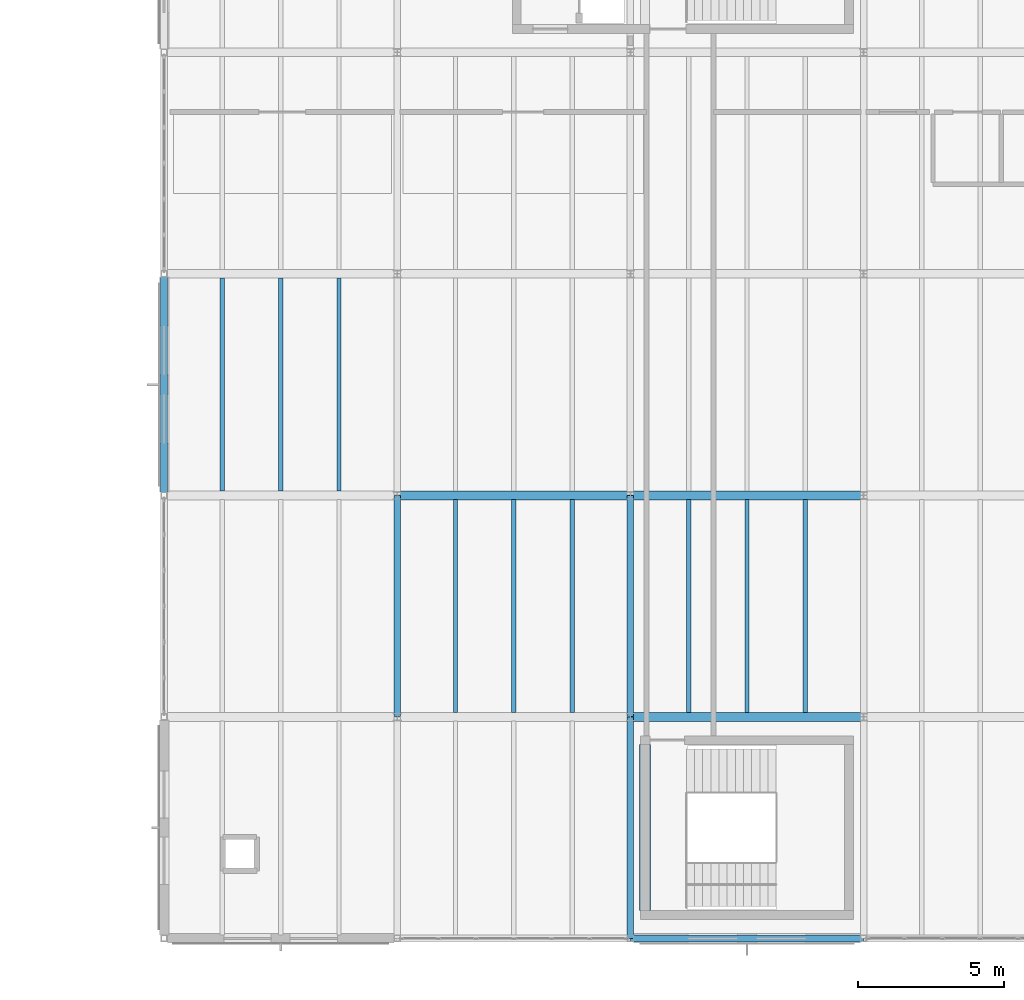
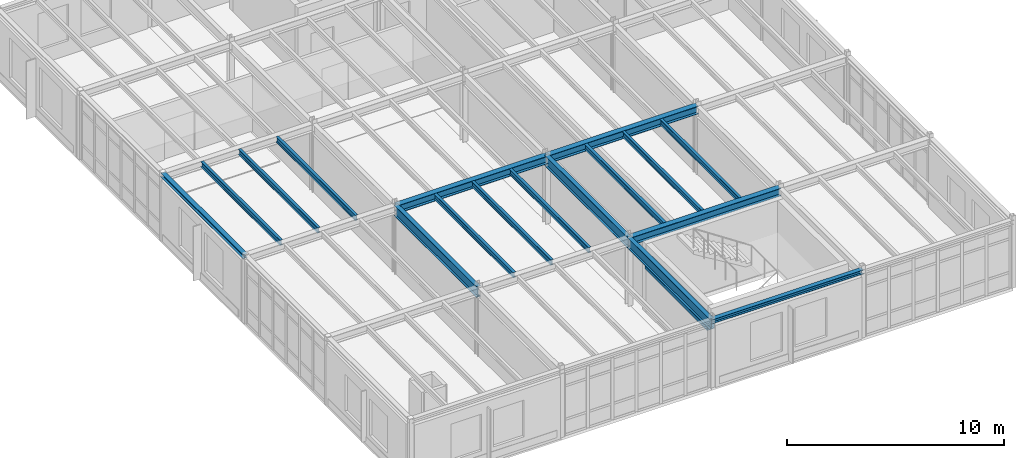
# One storey, part 57 of 114: 18 beams.
"""IFC4 building model written with IfcOpenShell, lengths in metres."""

from ifc_helpers import new_model, si_unit, direction, frame, origin, origin_2d, place, context, subcontext, project, spatial, rectangle, i_section, extrude, material, material_profile, profile_set, type_object, element, save


model = new_model("IFC4")

# Units and contexts
model_context = context("Model", 3, precision=1e-05, world=origin(), true_north=direction((0.0, 1.0)))
body_context = subcontext(model_context, "Body", "Model", "MODEL_VIEW")
ifc_project = project(units=[si_unit("LENGTHUNIT", "METRE"), si_unit("AREAUNIT", "SQUARE_METRE"), si_unit("VOLUMEUNIT", "CUBIC_METRE"), si_unit("PLANEANGLEUNIT", "RADIAN"), si_unit("MASSUNIT", "GRAM", prefix="KILO")], contexts=[model_context])

# Site, building, storey
site_placement = place(None, origin())
site = spatial("IfcSite", under=ifc_project, at=site_placement, CompositionType="ELEMENT")
building_placement = place(site_placement, origin())
building = spatial("IfcBuilding", under=site, at=building_placement, Name="Montecoro Central Library", CompositionType="ELEMENT")
storey_placement = place(building_placement, frame((0.0, 0.0, 13.260009765625)))
storey = spatial("IfcBuildingStorey", under=building, at=storey_placement, Name="L03", CompositionType="ELEMENT", Elevation=13.260009765625)

# Beams
ifc_material_1 = material(Name="Steel S355J2", Category="steel")
ifc_material_profile_1 = material_profile(ifc_material_1, i_section(OverallWidth=0.300048828125, OverallDepth=0.43994140625, WebThickness=0.011474609375, FlangeThickness=0.02099609375, at=origin_2d()), Name="HEA 450")
ifc_profile_set_1 = profile_set([ifc_material_profile_1], Name="Steel S355J2")
beam_type_1 = type_object("IfcBeamType", Name="BM-G-HEA450", PredefinedType="USERDEFINED", material=ifc_profile_set_1)
for number, where, z_axis, x_axis, name in (
    (1, (157.0048828125, 12.60009765625, 3.60498046875), (1.0, 0.0, 0.0), (0.0, 1.0, 0.0), "V6-L03-BX-2021-B"),
    (2, (149.0048828125, 20.199951171875, 3.60498046875), (1.0, 0.0, 0.0), (0.0, 1.0, 0.0), "V6-L03-BX-1920-C"),
    (3, (157.0048828125, 20.199951171875, 3.60498046875), (1.0, 0.0, 0.0), (0.0, 1.0, 0.0), "V6-L03-BX-2021-C"),
):
    element("IfcBeam", number, at=place(storey_placement, frame(where, z_axis=z_axis, x_axis=x_axis)), inside=storey, type_object=beam_type_1, Name=name, ObjectType="GIRDER", PredefinedType="USERDEFINED", context=body_context, shape_type="SweptSolid", body=[
        extrude(i_section(OverallWidth=0.300048828125, OverallDepth=0.43994140625, WebThickness=0.011474609375, FlangeThickness=0.02099609375, at=origin_2d()), origin(), (0.0, 0.0, 1.0), 7.990234375),
    ])
ifc_material_profile_2 = material_profile(ifc_material_1, i_section(OverallWidth=0.219970703125, OverallDepth=0.60009765625, WebThickness=0.011962890625, FlangeThickness=0.01904296875, at=origin_2d()), Name="IPE 600")
ifc_profile_set_2 = profile_set([ifc_material_profile_2], Name="Steel S355J2")
beam_type_2 = type_object("IfcBeamType", Name="BM-G-IPE600", PredefinedType="USERDEFINED", material=ifc_profile_set_2)
for number, where, z_axis, x_axis, name in (
    (4, (149.0, 12.60498046875, 3.52490234375), (0.0, 1.0, 0.0), (-1.0, 0.0, 0.0), "V6-L03-BY-19-BC"),
    (5, (157.0, 5.0048828125, 3.52490234375), (0.0, 1.0, 0.0), (-1.0, 0.0, 0.0), "V6-L03-BY-20-AB"),
    (6, (157.0, 12.60498046875, 3.52490234375), (0.0, 1.0, 0.0), (-1.0, 0.0, 0.0), "V6-L03-BY-20-BC"),
):
    element("IfcBeam", number, at=place(storey_placement, frame(where, z_axis=z_axis, x_axis=x_axis)), inside=storey, type_object=beam_type_2, Name=name, ObjectType="GIRDER", PredefinedType="USERDEFINED", context=body_context, shape_type="SweptSolid", body=[
        extrude(i_section(OverallWidth=0.219970703125, OverallDepth=0.60009765625, WebThickness=0.011962890625, FlangeThickness=0.01904296875, at=origin_2d()), origin(), (0.0, 0.0, 1.0), 7.590087890625),
    ])
ifc_material_2 = material(Name="Steel S355", Category="steel")
ifc_material_profile_3 = material_profile(ifc_material_2, i_section(OverallWidth=0.14990234375, OverallDepth=0.300048828125, WebThickness=0.007080078125, FlangeThickness=0.0107421875, at=origin_2d()), Name="IPE 300")
ifc_profile_set_3 = profile_set([ifc_material_profile_3], Name="Steel S355")
beam_type_3 = type_object("IfcBeamType", Name="BM-J-IPE300", PredefinedType="JOIST", material=ifc_profile_set_3)
for number, where, z_axis, x_axis, name in (
    (7, (143.0, 20.346923828125, 3.675048828125), (0.0, 1.0, 0.0), (-1.0, 0.0, 0.0), "V6-L03-JS-1819-CD-1"),
    (8, (145.0, 20.346923828125, 3.675048828125), (0.0, 1.0, 0.0), (-1.0, 0.0, 0.0), "V6-L03-JS-1819-CD-2"),
    (9, (147.0, 20.346923828125, 3.675048828125), (0.0, 1.0, 0.0), (-1.0, 0.0, 0.0), "V6-L03-JS-1819-CD-3"),
):
    element("IfcBeam", number, at=place(storey_placement, frame(where, z_axis=z_axis, x_axis=x_axis)), inside=storey, type_object=beam_type_3, Name=name, PredefinedType="JOIST", context=body_context, shape_type="SweptSolid", body=[
        extrude(i_section(OverallWidth=0.14990234375, OverallDepth=0.300048828125, WebThickness=0.007080078125, FlangeThickness=0.0107421875, at=origin_2d()), origin(), (0.0, 0.0, 1.0), 7.30615234375),
    ])
for number, where, z_axis, x_axis, name in (
    (10, (151.0, 12.7470703125, 3.675048828125), (0.0, 1.0, 0.0), (-1.0, 0.0, 0.0), "V6-L03-JS-1920-BC-1"),
    (11, (153.0, 12.7470703125, 3.675048828125), (0.0, 1.0, 0.0), (-1.0, 0.0, 0.0), "V6-L03-JS-1920-BC-2"),
    (12, (155.0, 12.7470703125, 3.675048828125), (0.0, 1.0, 0.0), (-1.0, 0.0, 0.0), "V6-L03-JS-1920-BC-3"),
    (13, (159.0, 12.7470703125, 3.675048828125), (0.0, 1.0, 0.0), (-1.0, 0.0, 0.0), "V6-L03-JS-2021-BC-1"),
    (14, (161.0, 12.7470703125, 3.675048828125), (0.0, 1.0, 0.0), (-1.0, 0.0, 0.0), "V6-L03-JS-2021-BC-2"),
    (15, (163.0, 12.7470703125, 3.675048828125), (0.0, 1.0, 0.0), (-1.0, 0.0, 0.0), "V6-L03-JS-2021-BC-3"),
):
    element("IfcBeam", number, at=place(storey_placement, frame(where, z_axis=z_axis, x_axis=x_axis)), inside=storey, type_object=beam_type_3, Name=name, PredefinedType="JOIST", context=body_context, shape_type="SweptSolid", body=[
        extrude(i_section(OverallWidth=0.14990234375, OverallDepth=0.300048828125, WebThickness=0.007080078125, FlangeThickness=0.0107421875, at=origin_2d()), origin(), (0.0, 0.0, 1.0), 7.305908203125),
    ])
ifc_material_3 = material(Name="Concrete C35/45", Category="concrete")
ifc_material_profile_4 = material_profile(ifc_material_3, rectangle(XDim=0.3798828125, YDim=0.6201171875, at=origin_2d()), Name="RC LNT 620x380")
ifc_profile_set_4 = profile_set([ifc_material_profile_4], Name="Concrete C35/45")
beam_type_4 = type_object("IfcBeamType", Name="BM-LN-RC05", PredefinedType="LINTEL", material=ifc_profile_set_4)
beam_1_placement = place(storey_placement, frame((157.5, 5.949951171875, 2.760009765625), z_axis=(0.0, 1.0, 0.0), x_axis=(-1.0, 0.0, 0.0)))
element("IfcBeam", 16, at=beam_1_placement, inside=storey, type_object=beam_type_4, Name="C10-L03-LNT", PredefinedType="LINTEL", context=body_context, shape_type="SweptSolid", body=[
    extrude(rectangle(XDim=0.3798828125, YDim=0.6201171875, at=origin_2d()), origin(), (0.0, 0.0, 1.0), 5.699951171875),
])
ifc_material_profile_5 = material_profile(ifc_material_2, i_section(OverallWidth=0.239990234375, OverallDepth=0.22998046875, WebThickness=0.007568359375, FlangeThickness=0.011962890625, at=origin_2d()), Name="HEA 240")
ifc_profile_set_5 = profile_set([ifc_material_profile_5], Name="Steel S355")
beam_type_5 = type_object("IfcBeamType", Name="BM-SP-HEA240", PredefinedType="SPANDREL", material=ifc_profile_set_5)
beam_2_placement = place(storey_placement, frame((157.0048828125, 5.0, 3.7099609375), z_axis=(1.0, 0.0, 0.0), x_axis=(0.0, 1.0, 0.0)))
element("IfcBeam", 17, at=beam_2_placement, inside=storey, type_object=beam_type_5, Name="V6-L03-BX-2021-A", PredefinedType="SPANDREL", context=body_context, shape_type="SweptSolid", body=[
    extrude(i_section(OverallWidth=0.239990234375, OverallDepth=0.22998046875, WebThickness=0.007568359375, FlangeThickness=0.011962890625, at=origin_2d()), origin(), (0.0, 0.0, 1.0), 7.990234375),
])
beam_3_placement = place(storey_placement, frame((141.0, 20.205078125, 3.7099609375), z_axis=(0.0, 1.0, 0.0), x_axis=(-1.0, 0.0, 0.0)))
element("IfcBeam", 18, at=beam_3_placement, inside=storey, type_object=beam_type_5, Name="V6-L03-BY-18-CD", PredefinedType="SPANDREL", context=body_context, shape_type="SweptSolid", body=[
    extrude(i_section(OverallWidth=0.239990234375, OverallDepth=0.22998046875, WebThickness=0.007568359375, FlangeThickness=0.011962890625, at=origin_2d()), origin(), (0.0, 0.0, 1.0), 7.58984375),
])

save(model, "model.ifc")
